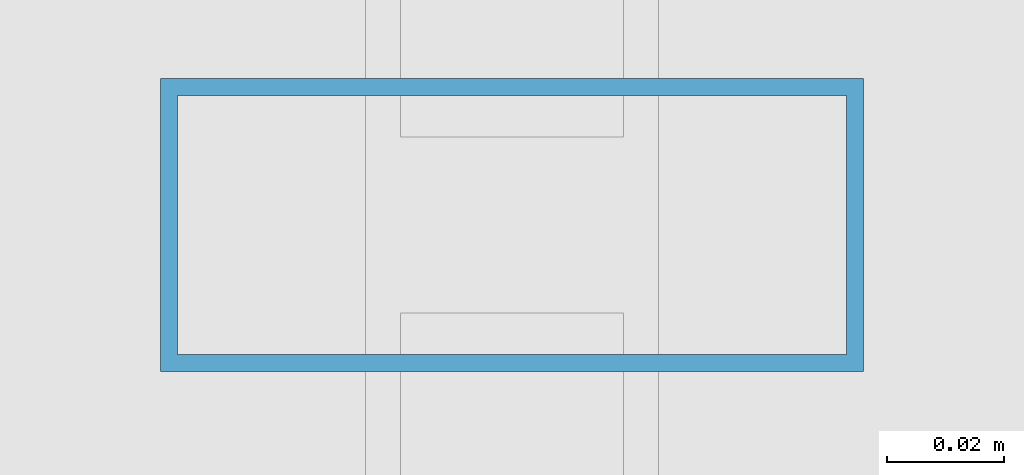
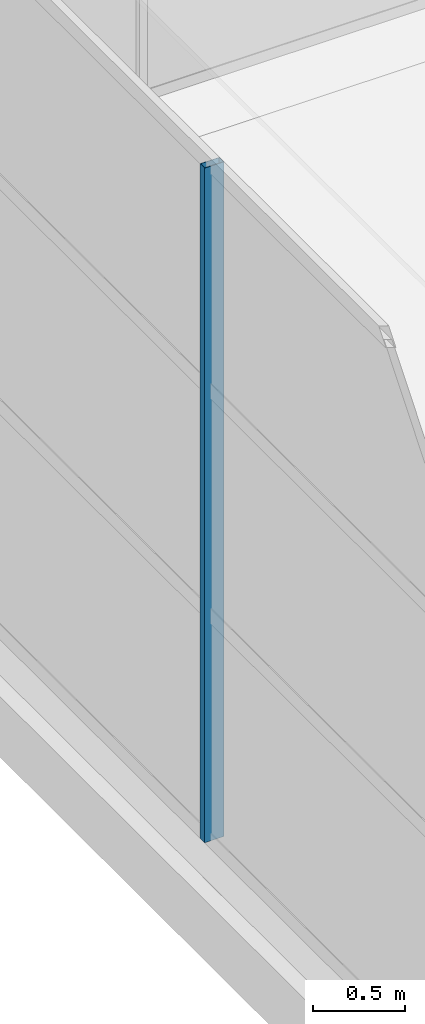
# One storey, part 60 of 112: 1 member, 1 element without a shape of its own.
"""IFC4 building model written with IfcOpenShell, lengths in metres."""

from ifc_helpers import new_model, si_unit, direction, frame, origin, origin_2d, place, context, subcontext, project, spatial, hollow_rectangle, extrude, material, material_profile, profile_set, type_object, element, aggregate, save


model = new_model("IFC4")

# Units and contexts
model_context = context("Model", 3, precision=1e-05, world=origin(), true_north=direction((0.0, 1.0)))
body_context = subcontext(model_context, "Body", "Model", "MODEL_VIEW")
ifc_project = project(units=[si_unit("LENGTHUNIT", "METRE"), si_unit("AREAUNIT", "SQUARE_METRE"), si_unit("VOLUMEUNIT", "CUBIC_METRE"), si_unit("PLANEANGLEUNIT", "RADIAN"), si_unit("MASSUNIT", "GRAM", prefix="KILO")], contexts=[model_context])

# Site, building, storey
site_placement = place(None, origin())
site = spatial("IfcSite", under=ifc_project, at=site_placement, CompositionType="ELEMENT")
building_placement = place(site_placement, origin())
building = spatial("IfcBuilding", under=site, at=building_placement, Name="Solvikara Media Centre", CompositionType="ELEMENT")
storey_placement = place(building_placement, frame((0.0, 0.0, 5.39990234375)))
storey = spatial("IfcBuildingStorey", under=building, at=storey_placement, Name="L01", CompositionType="ELEMENT", Elevation=5.39990234375)

# Curtain wall, member
ifc_material = material(Name="Anodised aluminium EN AW-6063", Category="aluminium")
curtain_wall_type = type_object("IfcCurtainWallType", Name="CW-12", PredefinedType="NOTDEFINED", material=ifc_material)
curtain_wall_placement = place(storey_placement, origin())
curtain_wall = element("IfcCurtainWall", 1, at=curtain_wall_placement, inside=storey, type_object=curtain_wall_type, Name="CW-L01-V2W-S6", PredefinedType="NOTDEFINED")
ifc_material_profile = material_profile(ifc_material, hollow_rectangle(XDim=0.050048828125, YDim=0.1201171875, WallThickness=0.0029296875, at=origin_2d()), Name="ALU-M 50x120x3")
ifc_profile_set = profile_set([ifc_material_profile], Name="Anodised aluminium EN AW-6063")
member_type = type_object("IfcMemberType", Name="MF-06", PredefinedType="MULLION", material=ifc_profile_set)
member_placement = place(storey_placement, frame((127.5, 107.75, 0.02001953125), z_axis=(0.0, 0.0, 1.0), x_axis=(0.0, 1.0, 0.0)))
member = element("IfcMember", 2, at=member_placement, type_object=member_type, Name="CW-L01-V2W-S6-M01", PredefinedType="MULLION", context=body_context, shape_type="SweptSolid", body=[
    extrude(hollow_rectangle(XDim=0.050048828125, YDim=0.1201171875, WallThickness=0.0029296875, at=origin_2d()), origin(), (0.0, 0.0, 1.0), 4.4599609375),
])
aggregate(curtain_wall, [member])

save(model, "model.ifc")
